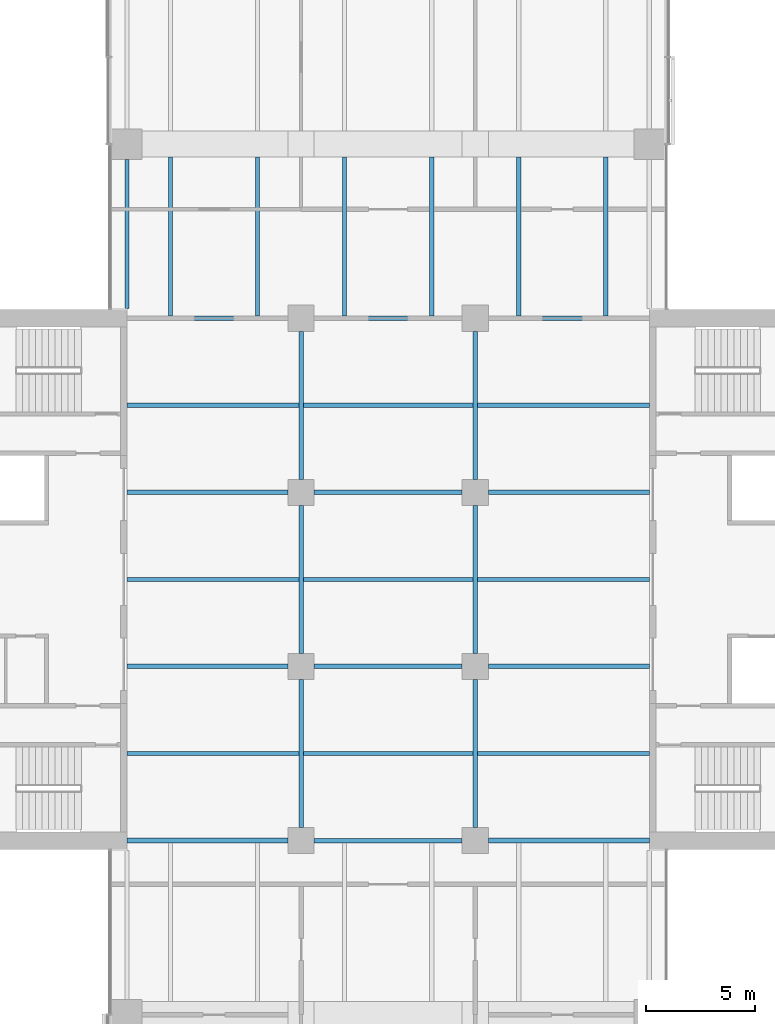
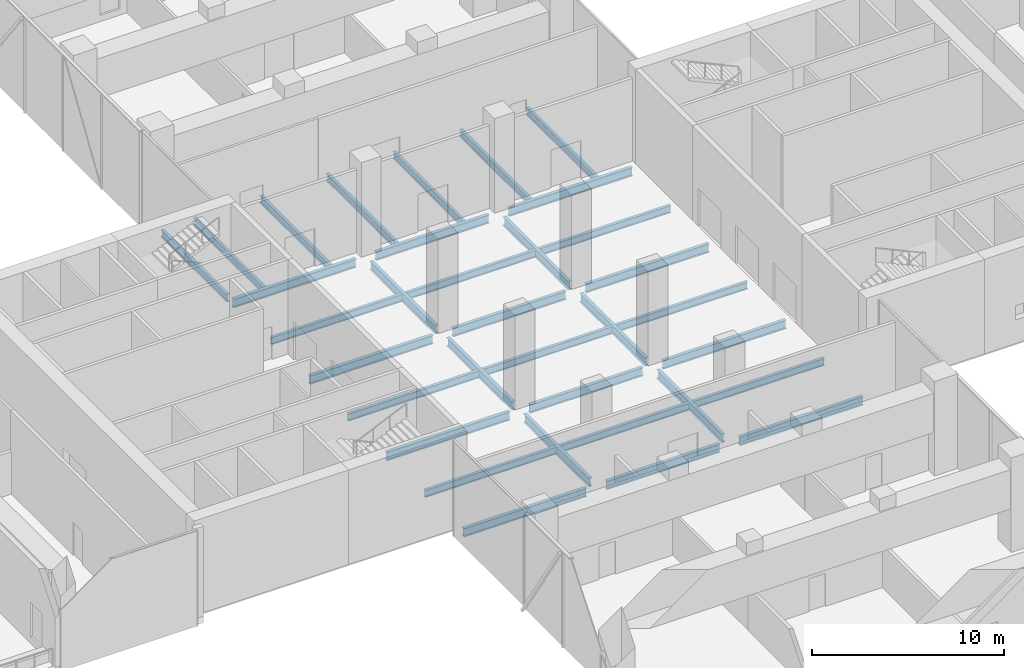
# One storey, part 8 of 23: 34 beams.
"""IFC4 building model written with IfcOpenShell, lengths in metres."""

from ifc_helpers import new_model, si_unit, direction, frame, origin, origin_2d, place, context, subcontext, project, spatial, i_section, extrude, material, material_profile, profile_set, type_object, element, save


model = new_model("IFC4")

# Units and contexts
model_context = context("Model", 3, precision=1e-05, world=origin(), true_north=direction((0.0, 1.0)))
body_context = subcontext(model_context, "Body", "Model", "MODEL_VIEW")
ifc_project = project(units=[si_unit("LENGTHUNIT", "METRE"), si_unit("AREAUNIT", "SQUARE_METRE"), si_unit("VOLUMEUNIT", "CUBIC_METRE"), si_unit("PLANEANGLEUNIT", "RADIAN"), si_unit("MASSUNIT", "GRAM", prefix="KILO")], contexts=[model_context])

# Site, building, storey
site_placement = place(None, origin())
site = spatial("IfcSite", under=ifc_project, at=site_placement, CompositionType="ELEMENT")
building_placement = place(site_placement, origin())
building = spatial("IfcBuilding", under=site, at=building_placement, Name="Crosswind Convention Tower", CompositionType="ELEMENT")
storey_placement = place(building_placement, frame((0.0, 0.0, 47.5)))
storey = spatial("IfcBuildingStorey", under=building, at=storey_placement, Name="L06", CompositionType="ELEMENT", Elevation=47.5)

# Beams
ifc_material = material(Name="Steel S355", Category="steel")
ifc_material_profile_1 = material_profile(ifc_material, i_section(OverallWidth=0.19189453125, OverallDepth=0.463623046875, WebThickness=0.010498046875, FlangeThickness=0.017578125, FilletRadius=0.01025390625, at=origin_2d()), Name="UB 457x191x90")
ifc_profile_set_1 = profile_set([ifc_material_profile_1], Name="Steel S355")
beam_type_1 = type_object("IfcBeamType", Name="Edge beam UB 457x191x90", PredefinedType="SPANDREL", material=ifc_profile_set_1)
beam_placement = place(storey_placement, frame((113.0, 112.449951171875, -0.6318359375), z_axis=(0.0, 1.0, 0.0), x_axis=(-1.0, 0.0, 0.0)))
element("IfcBeam", 1, at=beam_placement, inside=storey, type_object=beam_type_1, Name="B19 L06 edge beam 9", PredefinedType="SPANDREL", context=body_context, shape_type="SweptSolid", body=[
    extrude(i_section(OverallWidth=0.19189453125, OverallDepth=0.463623046875, WebThickness=0.010498046875, FlangeThickness=0.017578125, FilletRadius=0.01025390625, at=origin_2d()), origin(), (0.0, 0.0, 1.0), 6.85009765625),
])
ifc_material_profile_2 = material_profile(ifc_material, i_section(OverallWidth=0.210693359375, OverallDepth=0.53955078125, WebThickness=0.01171875, FlangeThickness=0.018798828125, FilletRadius=0.0126953125, at=origin_2d()), Name="UB 533x210x109")
ifc_profile_set_2 = profile_set([ifc_material_profile_2], Name="Steel S355")
beam_type_2 = type_object("IfcBeamType", Name="Girder UB 533x210x109", PredefinedType="BEAM", material=ifc_profile_set_2)
for number, where, z_axis, x_axis, name in (
    (2, (121.0, 88.60009765625, -0.669677734375), (0.0, 1.0, 0.0), (-1.0, 0.0, 0.0), "B5 L06 girder 1"),
    (3, (121.0, 96.60009765625, -0.669677734375), (0.0, 1.0, 0.0), (-1.0, 0.0, 0.0), "B5 L06 girder 2"),
    (4, (121.0, 104.60009765625, -0.669677734375), (0.0, 1.0, 0.0), (-1.0, 0.0, 0.0), "B5 L06 girder 3"),
    (5, (121.60009765625, 88.0, -0.669677734375), (1.0, 0.0, 0.0), (0.0, 1.0, 0.0), "B5 L06 girder 4"),
    (6, (121.60009765625, 96.0, -0.669677734375), (1.0, 0.0, 0.0), (0.0, 1.0, 0.0), "B5 L06 girder 5"),
    (7, (121.60009765625, 104.0, -0.669677734375), (1.0, 0.0, 0.0), (0.0, 1.0, 0.0), "B5 L06 girder 6"),
    (8, (121.60009765625, 112.0, -0.669677734375), (1.0, 0.0, 0.0), (0.0, 1.0, 0.0), "B5 L06 girder 7"),
    (9, (129.0, 88.60009765625, -0.669677734375), (0.0, 1.0, 0.0), (-1.0, 0.0, 0.0), "B5 L06 girder 8"),
    (10, (129.0, 96.60009765625, -0.669677734375), (0.0, 1.0, 0.0), (-1.0, 0.0, 0.0), "B5 L06 girder 9"),
    (11, (129.0, 104.60009765625, -0.669677734375), (0.0, 1.0, 0.0), (-1.0, 0.0, 0.0), "B5 L06 girder 10"),
):
    element("IfcBeam", number, at=place(storey_placement, frame(where, z_axis=z_axis, x_axis=x_axis)), inside=storey, type_object=beam_type_2, Name=name, PredefinedType="BEAM", context=body_context, shape_type="SweptSolid", body=[
        extrude(i_section(OverallWidth=0.210693359375, OverallDepth=0.53955078125, WebThickness=0.01171875, FlangeThickness=0.018798828125, FilletRadius=0.0126953125, at=origin_2d()), origin(), (0.0, 0.0, 1.0), 6.7998046875),
    ])
ifc_material_profile_3 = material_profile(ifc_material, i_section(OverallWidth=0.2119140625, OverallDepth=0.544677734375, WebThickness=0.0126953125, FlangeThickness=0.021240234375, FilletRadius=0.0126953125, at=origin_2d()), Name="UB 533x210x122")
ifc_profile_set_3 = profile_set([ifc_material_profile_3], Name="Steel S355")
beam_type_3 = type_object("IfcBeamType", Name="Girder at core wall UB 533x210x122", PredefinedType="BEAM", material=ifc_profile_set_3)
for number, where, z_axis, x_axis, name in (
    (12, (113.0, 88.0, -0.67236328125), (1.0, 0.0, 0.0), (0.0, 1.0, 0.0), "B26 L06 girder at core wall 1"),
    (13, (113.0, 96.0, -0.67236328125), (1.0, 0.0, 0.0), (0.0, 1.0, 0.0), "B26 L06 girder at core wall 2"),
    (14, (113.0, 104.0, -0.67236328125), (1.0, 0.0, 0.0), (0.0, 1.0, 0.0), "B26 L06 girder at core wall 3"),
    (15, (113.0, 112.0, -0.67236328125), (1.0, 0.0, 0.0), (0.0, 1.0, 0.0), "B26 L06 girder at core wall 4"),
    (16, (129.60009765625, 88.0, -0.67236328125), (1.0, 0.0, 0.0), (0.0, 1.0, 0.0), "B26 L06 girder at core wall 5"),
    (17, (129.60009765625, 96.0, -0.67236328125), (1.0, 0.0, 0.0), (0.0, 1.0, 0.0), "B26 L06 girder at core wall 6"),
    (18, (129.60009765625, 104.0, -0.67236328125), (1.0, 0.0, 0.0), (0.0, 1.0, 0.0), "B26 L06 girder at core wall 7"),
    (19, (129.60009765625, 112.0, -0.67236328125), (1.0, 0.0, 0.0), (0.0, 1.0, 0.0), "B26 L06 girder at core wall 8"),
):
    element("IfcBeam", number, at=place(storey_placement, frame(where, z_axis=z_axis, x_axis=x_axis)), inside=storey, type_object=beam_type_3, Name=name, PredefinedType="BEAM", context=body_context, shape_type="SweptSolid", body=[
        extrude(i_section(OverallWidth=0.2119140625, OverallDepth=0.544677734375, WebThickness=0.0126953125, FlangeThickness=0.021240234375, FilletRadius=0.0126953125, at=origin_2d()), origin(), (0.0, 0.0, 1.0), 7.39990234375),
    ])
ifc_material_profile_4 = material_profile(ifc_material, i_section(OverallWidth=0.1904296875, OverallDepth=0.457275390625, WebThickness=0.009033203125, FlangeThickness=0.014404296875, FilletRadius=0.01025390625, at=origin_2d()), Name="UB 457x191x75")
ifc_profile_set_4 = profile_set([ifc_material_profile_4], Name="Steel S355")
beam_type_4 = type_object("IfcBeamType", Name="Secondary beam UB 457x191x75", PredefinedType="JOIST", material=ifc_profile_set_4)
for number, where, z_axis, x_axis, name in (
    (20, (113.0, 92.0, -0.628662109375), (1.0, 0.0, 0.0), (0.0, 1.0, 0.0), "B12 L06 secondary beam 11"),
    (21, (113.0, 100.0, -0.628662109375), (1.0, 0.0, 0.0), (0.0, 1.0, 0.0), "B12 L06 secondary beam 12"),
    (22, (113.0, 108.0, -0.628662109375), (1.0, 0.0, 0.0), (0.0, 1.0, 0.0), "B12 L06 secondary beam 13"),
):
    element("IfcBeam", number, at=place(storey_placement, frame(where, z_axis=z_axis, x_axis=x_axis)), inside=storey, type_object=beam_type_4, Name=name, PredefinedType="JOIST", context=body_context, shape_type="SweptSolid", body=[
        extrude(i_section(OverallWidth=0.1904296875, OverallDepth=0.457275390625, WebThickness=0.009033203125, FlangeThickness=0.014404296875, FilletRadius=0.01025390625, at=origin_2d()), origin(), (0.0, 0.0, 1.0), 7.89453125),
    ])
for number, where, z_axis, x_axis, name in (
    (23, (115.0, 112.10595703125, -0.628662109375), (0.0, 1.0, 0.0), (-1.0, 0.0, 0.0), "B12 L06 secondary beam 17"),
    (24, (119.0, 112.10595703125, -0.628662109375), (0.0, 1.0, 0.0), (-1.0, 0.0, 0.0), "B12 L06 secondary beam 24"),
):
    element("IfcBeam", number, at=place(storey_placement, frame(where, z_axis=z_axis, x_axis=x_axis)), inside=storey, type_object=beam_type_4, Name=name, PredefinedType="JOIST", context=body_context, shape_type="SweptSolid", body=[
        extrude(i_section(OverallWidth=0.1904296875, OverallDepth=0.457275390625, WebThickness=0.009033203125, FlangeThickness=0.014404296875, FilletRadius=0.01025390625, at=origin_2d()), origin(), (0.0, 0.0, 1.0), 7.2939453125),
    ])
for number, where, z_axis, x_axis, name in (
    (25, (121.10546875, 92.0, -0.628662109375), (1.0, 0.0, 0.0), (0.0, 1.0, 0.0), "B12 L06 secondary beam 28"),
    (26, (121.10546875, 100.0, -0.628662109375), (1.0, 0.0, 0.0), (0.0, 1.0, 0.0), "B12 L06 secondary beam 29"),
    (27, (121.10546875, 108.0, -0.628662109375), (1.0, 0.0, 0.0), (0.0, 1.0, 0.0), "B12 L06 secondary beam 30"),
):
    element("IfcBeam", number, at=place(storey_placement, frame(where, z_axis=z_axis, x_axis=x_axis)), inside=storey, type_object=beam_type_4, Name=name, PredefinedType="JOIST", context=body_context, shape_type="SweptSolid", body=[
        extrude(i_section(OverallWidth=0.1904296875, OverallDepth=0.457275390625, WebThickness=0.009033203125, FlangeThickness=0.014404296875, FilletRadius=0.01025390625, at=origin_2d()), origin(), (0.0, 0.0, 1.0), 7.7890625),
    ])
for number, where, z_axis, x_axis, name in (
    (28, (123.0, 112.10546875, -0.628662109375), (0.0, 1.0, 0.0), (-1.0, 0.0, 0.0), "B12 L06 secondary beam 35"),
    (29, (127.0, 112.10546875, -0.628662109375), (0.0, 1.0, 0.0), (-1.0, 0.0, 0.0), "B12 L06 secondary beam 43"),
):
    element("IfcBeam", number, at=place(storey_placement, frame(where, z_axis=z_axis, x_axis=x_axis)), inside=storey, type_object=beam_type_4, Name=name, PredefinedType="JOIST", context=body_context, shape_type="SweptSolid", body=[
        extrude(i_section(OverallWidth=0.1904296875, OverallDepth=0.457275390625, WebThickness=0.009033203125, FlangeThickness=0.014404296875, FilletRadius=0.01025390625, at=origin_2d()), origin(), (0.0, 0.0, 1.0), 7.29443359375),
    ])
for number, where, z_axis, x_axis, name in (
    (30, (129.10546875, 92.0, -0.628662109375), (1.0, 0.0, 0.0), (0.0, 1.0, 0.0), "B12 L06 secondary beam 47"),
    (31, (129.10546875, 100.0, -0.628662109375), (1.0, 0.0, 0.0), (0.0, 1.0, 0.0), "B12 L06 secondary beam 48"),
    (32, (129.10546875, 108.0, -0.628662109375), (1.0, 0.0, 0.0), (0.0, 1.0, 0.0), "B12 L06 secondary beam 49"),
):
    element("IfcBeam", number, at=place(storey_placement, frame(where, z_axis=z_axis, x_axis=x_axis)), inside=storey, type_object=beam_type_4, Name=name, PredefinedType="JOIST", context=body_context, shape_type="SweptSolid", body=[
        extrude(i_section(OverallWidth=0.1904296875, OverallDepth=0.457275390625, WebThickness=0.009033203125, FlangeThickness=0.014404296875, FilletRadius=0.01025390625, at=origin_2d()), origin(), (0.0, 0.0, 1.0), 7.89453125),
    ])
for number, where, z_axis, x_axis, name in (
    (33, (131.0, 112.10595703125, -0.628662109375), (0.0, 1.0, 0.0), (-1.0, 0.0, 0.0), "B12 L06 secondary beam 54"),
    (34, (135.0, 112.10595703125, -0.628662109375), (0.0, 1.0, 0.0), (-1.0, 0.0, 0.0), "B12 L06 secondary beam 61"),
):
    element("IfcBeam", number, at=place(storey_placement, frame(where, z_axis=z_axis, x_axis=x_axis)), inside=storey, type_object=beam_type_4, Name=name, PredefinedType="JOIST", context=body_context, shape_type="SweptSolid", body=[
        extrude(i_section(OverallWidth=0.1904296875, OverallDepth=0.457275390625, WebThickness=0.009033203125, FlangeThickness=0.014404296875, FilletRadius=0.01025390625, at=origin_2d()), origin(), (0.0, 0.0, 1.0), 7.2939453125),
    ])

save(model, "model.ifc")
